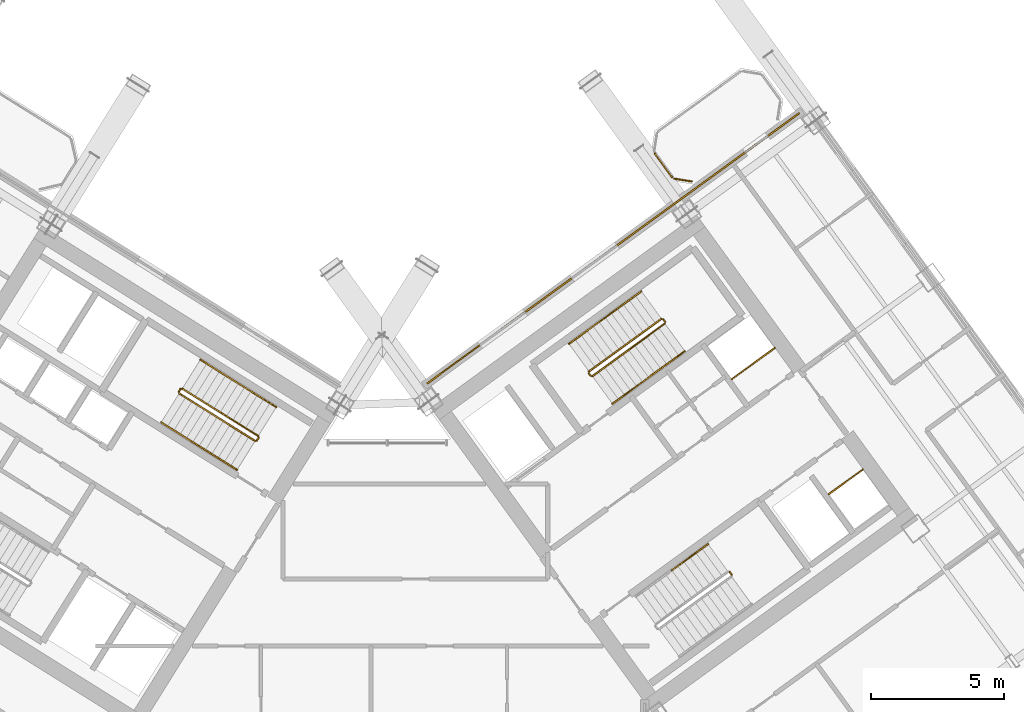
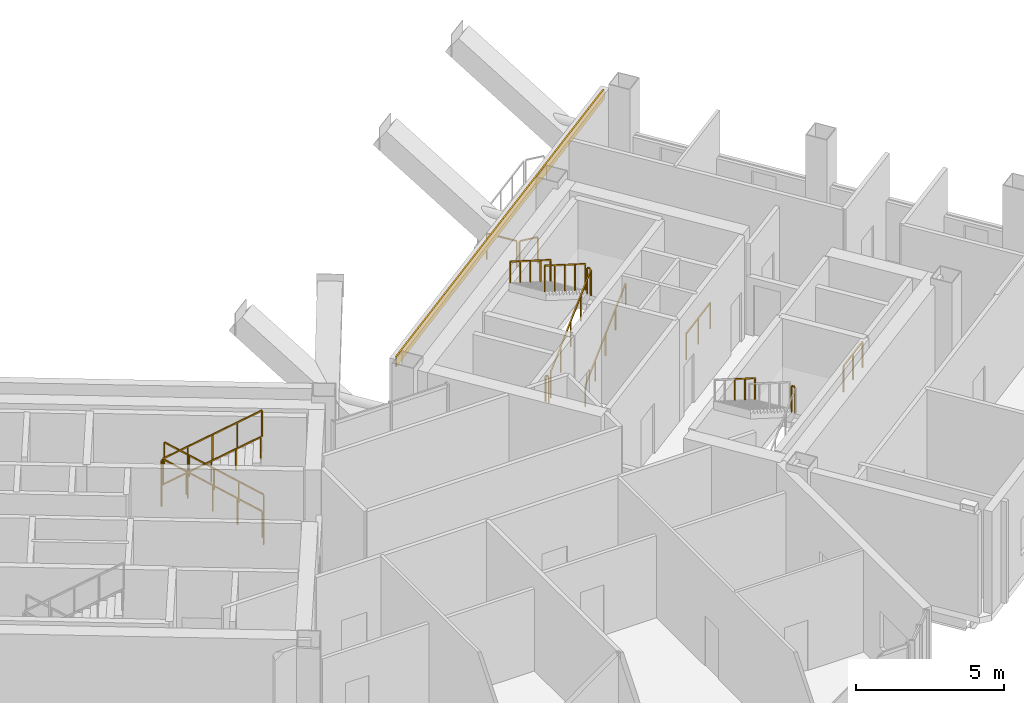
# One storey, part 33 of 34: 22 railings, 1 covering.
"""IFC4 building model written with IfcOpenShell, lengths in metres."""

import ifcopenshell
import ifcopenshell.guid

model = None  # the IFC model being written
_history = None  # IfcOwnerHistory: only IFC2X3 demands one
_inside = {}  # id of a spatial element -> (the spatial element, [elements in it])
_under = {}  # id of a project, library or spatial element -> (it, [spatial elements below it])
_declared = {}  # id of a project -> (the project, [libraries it declares])
_typed = {}  # id of a type object -> (the type object, [elements of that type])
_made_of = {}  # id of a material, layer set ... -> (it, [elements and type objects made of it])


def new_model(schema):
    """Start an empty IFC model of exactly this schema.

    Asked for "IFC4X3", IfcOpenShell would pick the latest addendum, in which some entities
    have other attributes; the version numbers below select the first issue.
    IFC2X3 requires an IfcOwnerHistory on every rooted entity: one is made here for all.
    """
    global model, _history
    if schema == "IFC4X3":
        model = ifcopenshell.file(schema_version=(4, 3, 0, 0))
    else:
        model = ifcopenshell.file(schema=schema)
    _inside.clear()
    _under.clear()
    _declared.clear()
    _typed.clear()
    _made_of.clear()
    _history = None
    if model.schema == "IFC2X3":
        org = make("IfcOrganization", Name="unknown")
        user = make(
            "IfcPersonAndOrganization",
            ThePerson=make("IfcPerson", FamilyName="unknown"),
            TheOrganization=org,
        )
        app = make(
            "IfcApplication",
            ApplicationDeveloper=org,
            Version="unknown",
            ApplicationFullName="unknown",
            ApplicationIdentifier="unknown",
        )
        _history = make(
            "IfcOwnerHistory",
            OwningUser=user,
            OwningApplication=app,
            ChangeAction="ADDED",
            CreationDate=0,
        )
    return model


def make(cls, **values):
    """One entity of the class cls with the attributes given. An attribute that is None is left unset."""
    return model.create_entity(
        cls, **{name: value for name, value in values.items() if value is not None}
    )


def rooted(cls, **values):
    """An entity with a GlobalId (a new one), such as an element, a storey or a relation."""
    return make(cls, GlobalId=ifcopenshell.guid.new(), OwnerHistory=_history, **values)


def si_unit(unit_type, name, prefix=None):
    """IfcSIUnit, for example si_unit("LENGTHUNIT", "METRE", prefix="MILLI")."""
    return make("IfcSIUnit", UnitType=unit_type, Prefix=prefix, Name=name)


def assignment(units):
    """IfcUnitAssignment: the units of a project."""
    return None if units is None else make("IfcUnitAssignment", Units=units)


def point(xyz):
    """IfcCartesianPoint."""
    return None if xyz is None else make("IfcCartesianPoint", Coordinates=xyz)


def direction(xyz):
    """IfcDirection."""
    return None if xyz is None else make("IfcDirection", DirectionRatios=xyz)


def frame(location, z_axis=None, x_axis=None):
    """IfcAxis2Placement3D, a coordinate frame: its origin and axes. An axis left out is left unset."""
    return make(
        "IfcAxis2Placement3D",
        Location=point(location),
        Axis=direction(z_axis),
        RefDirection=direction(x_axis),
    )


def frame_2d(location, x_axis=None):
    """IfcAxis2Placement2D, a coordinate frame in the plane: its origin and x axis."""
    return make(
        "IfcAxis2Placement2D", Location=point(location), RefDirection=direction(x_axis)
    )


def origin():
    """The frame at (0, 0, 0) with its axes left unset."""
    return frame((0.0, 0.0, 0.0))


def origin_2d():
    """The frame at (0, 0) in the plane with its x axis left unset."""
    return frame_2d((0.0, 0.0))


def place(relative_to, where):
    """IfcLocalPlacement: puts the frame where relative to a parent placement (None: the world)."""
    return make(
        "IfcLocalPlacement", PlacementRelTo=relative_to, RelativePlacement=where
    )


def context(
    kind, dimensions, precision=None, world=None, true_north=None, identifier=None
):
    """IfcGeometricRepresentationContext, for example the 3D "Model" context."""
    return make(
        "IfcGeometricRepresentationContext",
        ContextIdentifier=identifier,
        ContextType=kind,
        CoordinateSpaceDimension=dimensions,
        Precision=precision,
        WorldCoordinateSystem=world,
        TrueNorth=true_north,
    )


def subcontext(parent, identifier, kind, view, scale=None):
    """IfcGeometricRepresentationSubContext, for example "Body" below "Model"."""
    return make(
        "IfcGeometricRepresentationSubContext",
        ContextIdentifier=identifier,
        ContextType=kind,
        ParentContext=parent,
        TargetScale=scale,
        TargetView=view,
    )


def project(units=None, contexts=None):
    """IfcProject with its units and contexts."""
    return rooted(
        "IfcProject",
        Name="project",
        RepresentationContexts=contexts,
        UnitsInContext=assignment(units),
    )


def spatial(cls, under=None, at=None, **own):
    """A site, building, storey or space (cls), placed at a placement, below another one or the project."""
    s = rooted(cls, ObjectPlacement=at, **own)
    if under is not None:
        _under.setdefault(under.id(), (under, []))[1].append(s)
    return s


def profile(cls, at=None, kind="AREA", **sizes):
    """A parametric profile (cls). Its sizes go by their IFC names, for example OverallWidth=200.0."""
    return make(cls, ProfileType=kind, Position=at, **sizes)


def rectangle(**sizes):
    """IfcRectangleProfileDef."""
    return profile("IfcRectangleProfileDef", **sizes)


def extrude(swept, where, along, depth):
    """IfcExtrudedAreaSolid: the profile swept, set in the frame where, extruded along a direction by depth."""
    return make(
        "IfcExtrudedAreaSolid",
        SweptArea=swept,
        Position=where,
        ExtrudedDirection=direction(along),
        Depth=depth,
    )


def shape(context_of_items, identifier, shape_type, items):
    """IfcShapeRepresentation: the items that make up one representation, for example the "Body"."""
    return make(
        "IfcShapeRepresentation",
        ContextOfItems=context_of_items,
        RepresentationIdentifier=identifier,
        RepresentationType=shape_type,
        Items=items,
    )


def source(mapping_origin, context_of_items, identifier, shape_type, items):
    """IfcRepresentationMap: a shape defined once, which mapped items show again and again."""
    return make(
        "IfcRepresentationMap",
        MappingOrigin=mapping_origin,
        MappedRepresentation=shape(context_of_items, identifier, shape_type, items),
    )


def transform(
    local_origin,
    x_axis=None,
    y_axis=None,
    z_axis=None,
    scale=None,
    scale2=None,
    scale3=None,
    uniform=True,
):
    """IfcCartesianTransformationOperator3D, or its non-uniform kind. x_axis, y_axis, z_axis: its Axis1, 2, 3."""
    if uniform:
        return make(
            "IfcCartesianTransformationOperator3D",
            Axis1=direction(x_axis),
            Axis2=direction(y_axis),
            LocalOrigin=point(local_origin),
            Scale=scale,
            Axis3=direction(z_axis),
        )
    return make(
        "IfcCartesianTransformationOperator3DnonUniform",
        Axis1=direction(x_axis),
        Axis2=direction(y_axis),
        LocalOrigin=point(local_origin),
        Scale=scale,
        Axis3=direction(z_axis),
        Scale2=scale2,
        Scale3=scale3,
    )


def mapped(mapping_source, mapping_target):
    """IfcMappedItem: shows the shape of a source again, moved by a transform."""
    return make(
        "IfcMappedItem", MappingSource=mapping_source, MappingTarget=mapping_target
    )


def material(Name=None, Category=None):
    """IfcMaterial."""
    return make("IfcMaterial", Name=Name, Category=Category)


def layer(
    of_material, thickness, ventilated=None, Name=None, Category=None, Priority=None
):
    """IfcMaterialLayer: one layer of a wall or slab, of a material (None: an air gap)."""
    return make(
        "IfcMaterialLayer",
        Material=of_material,
        LayerThickness=thickness,
        IsVentilated=ventilated,
        Name=Name,
        Category=Category,
        Priority=Priority,
    )


def layer_set(layers, Name=None):
    """IfcMaterialLayerSet."""
    return make("IfcMaterialLayerSet", MaterialLayers=layers, LayerSetName=Name)


def made_of(thing, what):
    """Note that an element or type object is made of a material, layer set ...; save() writes the relation."""
    if what is not None:
        _made_of.setdefault(what.id(), (what, []))[1].append(thing)
    return thing


def type_object(cls, material=None, **own):
    """A type object (cls), such as IfcWallType, which elements share."""
    return made_of(rooted(cls, **own), material)


def element(
    cls,
    number,
    at=None,
    inside=None,
    cuts=None,
    type_object=None,
    material=None,
    context=None,
    identifier="Body",
    shape_type=None,
    held_by="IfcProductDefinitionShape",
    body=None,
    shapes=None,
    **own,
):
    """One element of the class cls, such as IfcWall. Its Tag is "e" and its number.

    at: its placement. inside: the storey or other place that contains it. cuts: it is an
    opening in that element (IfcRelVoidsElement). A single representation is given by context,
    identifier, shape_type and body (its items); several are given by shapes. held_by: the class
    of the entity that holds the representations. save() writes the other relations.
    """
    e = rooted(cls, Tag="e%d" % number, ObjectPlacement=at, **own)
    if body is not None:
        shapes = [shape(context, identifier, shape_type, body)]
    if shapes is not None:
        e.Representation = make(held_by, Representations=shapes)
    if inside is not None:
        _inside.setdefault(inside.id(), (inside, []))[1].append(e)
    if cuts is not None:
        rooted(
            "IfcRelVoidsElement", RelatingBuildingElement=cuts, RelatedOpeningElement=e
        )
    if type_object is not None:
        _typed.setdefault(type_object.id(), (type_object, []))[1].append(e)
    return made_of(e, material)


def aggregate(whole, parts):
    """IfcRelAggregates: a whole, such as a stair, and the parts it consists of."""
    return rooted("IfcRelAggregates", RelatingObject=whole, RelatedObjects=parts)


def save(model, path):
    """Write the relations noted so far, then the file.

    IfcRelAggregates (storeys below a building ...), IfcRelContainedInSpatialStructure (elements
    in a storey), IfcRelDefinesByType, IfcRelAssociatesMaterial and IfcRelDeclares: one each for
    every whole, place, type object, material and project.
    """
    for whole, parts in _under.values():
        aggregate(whole, parts)
    for where, things in _inside.values():
        rooted(
            "IfcRelContainedInSpatialStructure",
            RelatedElements=things,
            RelatingStructure=where,
        )
    for kind, things in _typed.values():
        rooted("IfcRelDefinesByType", RelatedObjects=things, RelatingType=kind)
    for what, things in _made_of.values():
        rooted("IfcRelAssociatesMaterial", RelatedObjects=things, RelatingMaterial=what)
    for by, libraries in _declared.values():
        rooted("IfcRelDeclares", RelatingContext=by, RelatedDefinitions=libraries)
    model.write(path)


model = new_model("IFC4")

# Units and contexts
model_context = context("Model", 3, precision=1e-05, world=origin(), true_north=direction((0.0, 1.0)))
body_context = subcontext(model_context, "Body", "Model", "MODEL_VIEW")
ifc_project = project(units=[si_unit("LENGTHUNIT", "METRE"), si_unit("AREAUNIT", "SQUARE_METRE"), si_unit("VOLUMEUNIT", "CUBIC_METRE"), si_unit("PLANEANGLEUNIT", "RADIAN"), si_unit("MASSUNIT", "GRAM", prefix="KILO")], contexts=[model_context])

# Site, building, storey
site_placement = place(None, origin())
site = spatial("IfcSite", under=ifc_project, at=site_placement, CompositionType="ELEMENT")
building_placement = place(site_placement, origin())
building = spatial("IfcBuilding", under=site, at=building_placement, Name="Tlacorven Tower", CompositionType="ELEMENT")
storey_placement = place(building_placement, frame((0.0, 0.0, 174.89990234375)))
storey = spatial("IfcBuildingStorey", under=building, at=storey_placement, Name="L44", CompositionType="ELEMENT", Elevation=174.89990234375)

# Railings
ifc_material_1 = material(Name="Aluminium and painted steel balustrade", Category="steel")
railing_type_1 = type_object("IfcRailingType", Name="RL-GRD-1100", PredefinedType="GUARDRAIL", material=ifc_material_1)
shared_shape_1 = source(origin(), body_context, "Body", "SweptSolid", [
    extrude(rectangle(XDim=0.048095703125, YDim=0.048095703125, at=origin_2d()), frame((0.0, 0.0, 1.076171875), z_axis=(0.808947177504, 0.587881334972, 0.0), x_axis=(-0.587881334972, 0.808947177504, 0.0)), (0.0, 0.0, 1.0), 2.0),
    extrude(rectangle(XDim=0.0419921875, YDim=0.0419921875, at=origin_2d()), origin(), (0.0, 0.0, 1.0), 1.052001953125),
    extrude(rectangle(XDim=0.0419921875, YDim=0.0419921875, at=origin_2d()), frame((0.80908203125, 0.587890625, 0.0)), (0.0, 0.0, 1.0), 1.052001953125),
    extrude(rectangle(XDim=0.0419921875, YDim=0.0419921875, at=origin_2d()), frame((1.617919921875, 1.17578125, 0.0)), (0.0, 0.0, 1.0), 1.052001953125),
])
railing_1_placement = place(storey_placement, frame((55.506103515625, 25.438232421875, 0.0)))
element("IfcRailing", 1, at=railing_1_placement, inside=storey, type_object=railing_type_1, Name="L44 Electrical Riser E Shaft Guard 1", PredefinedType="GUARDRAIL", context=body_context, shape_type="MappedRepresentation", body=[
    mapped(shared_shape_1, transform((0.0, 0.0, 0.0), scale=1.0)),
])
shared_shape_2 = source(origin(), body_context, "Body", "SweptSolid", [
    extrude(rectangle(XDim=0.048095703125, YDim=0.048095703125, at=origin_2d()), frame((0.0, 0.0, 1.076171875), z_axis=(0.809029975545, 0.58776738483, 0.0), x_axis=(-0.58776738483, 0.809029975545, 0.0)), (0.0, 0.0, 1.0), 1.580078125),
    extrude(rectangle(XDim=0.0419921875, YDim=0.0419921875, at=origin_2d()), origin(), (0.0, 0.0, 1.0), 1.052001953125),
    extrude(rectangle(XDim=0.0419921875, YDim=0.0419921875, at=origin_2d()), frame((0.63916015625, 0.46435546875, 0.0)), (0.0, 0.0, 1.0), 1.052001953125),
    extrude(rectangle(XDim=0.0419921875, YDim=0.0419921875, at=origin_2d()), frame((1.2783203125, 0.9287109375, 0.0)), (0.0, 0.0, 1.0), 1.052001953125),
])
railing_2_placement = place(storey_placement, frame((59.160888671875, 21.122314453125, 0.0)))
element("IfcRailing", 2, at=railing_2_placement, inside=storey, type_object=railing_type_1, Name="L44 Smoke Riser E Shaft Guard 1", PredefinedType="GUARDRAIL", context=body_context, shape_type="MappedRepresentation", body=[
    mapped(shared_shape_2, transform((0.0, 0.0, 0.0), scale=1.0)),
])
railing_type_2 = type_object("IfcRailingType", Name="RL-BAL-1100", PredefinedType="BALUSTRADE", material=ifc_material_1)
shared_shape_3 = source(origin(), body_context, "Body", "SweptSolid", [
    extrude(rectangle(XDim=0.048095703125, YDim=0.048095703125, at=origin_2d()), frame((0.0, 0.0, 1.076171875), z_axis=(-0.987718317463, 0.156245081039, 0.0), x_axis=(-0.156245081039, -0.987718317463, 0.0)), (0.0, 0.0, 1.0), 0.66552734375),
    extrude(rectangle(XDim=0.0419921875, YDim=0.0419921875, at=origin_2d()), origin(), (0.0, 0.0, 1.0), 1.052001953125),
    extrude(rectangle(XDim=0.0419921875, YDim=0.0419921875, at=origin_2d()), frame((-0.657470703125, 0.10400390625, 0.0)), (0.0, 0.0, 1.0), 1.052001953125),
])
railing_3_placement = place(storey_placement, frame((54.00341796875, 32.8759765625, 0.0)))
element("IfcRailing", 3, at=railing_3_placement, inside=storey, type_object=railing_type_2, Name="BAL-L44-E-IN Guard Railing 1", PredefinedType="BALUSTRADE", context=body_context, shape_type="MappedRepresentation", body=[
    mapped(shared_shape_3, transform((0.0, 0.0, 0.0), scale=1.0)),
])
shared_shape_4 = source(origin(), body_context, "Body", "SweptSolid", [
    extrude(rectangle(XDim=0.048095703125, YDim=0.048095703125, at=origin_2d()), frame((0.0, 0.0, 1.076171875), z_axis=(-0.587740817519, 0.809049276263, 0.0), x_axis=(-0.809049276263, -0.587740817519, 0.0)), (0.0, 0.0, 1.0), 1.112060546875),
    extrude(rectangle(XDim=0.0419921875, YDim=0.0419921875, at=origin_2d()), origin(), (0.0, 0.0, 1.0), 1.052001953125),
    extrude(rectangle(XDim=0.0419921875, YDim=0.0419921875, at=origin_2d()), frame((-0.653564453125, 0.899658203125, 0.0)), (0.0, 0.0, 1.0), 1.052001953125),
])
railing_4_placement = place(storey_placement, frame((53.26708984375, 33.0283203125, 0.0)))
element("IfcRailing", 4, at=railing_4_placement, inside=storey, type_object=railing_type_2, Name="BAL-L44-E-IN Guard Railing 2", PredefinedType="BALUSTRADE", context=body_context, shape_type="MappedRepresentation", body=[
    mapped(shared_shape_4, transform((0.0, 0.0, 0.0), scale=1.0)),
])

# Covering
ifc_material_2 = material(Name="Precast concrete C45/55", Category="concrete")
ifc_layer = layer(ifc_material_2, 0.06005859375)
ifc_layer_set = layer_set([ifc_layer], Name="Precast concrete C45/55")
covering_type = type_object("IfcCoveringType", Name="CV-CLD-TERC", PredefinedType="CLADDING", material=ifc_layer_set)
shared_shape_5 = source(origin(), body_context, "Body", "SweptSolid", [
    extrude(rectangle(XDim=17.287353515625, YDim=0.06005859375, at=origin_2d()), origin(), (0.0, 0.0, 1.0), 0.419921875),
])
covering_placement = place(storey_placement, frame((51.05224609375, 30.360595703125, 3.800048828125), z_axis=(0.0, 0.0, 1.0), x_axis=(0.809017097486, 0.587785110372, 0.0)))
element("IfcCovering", 5, at=covering_placement, inside=storey, type_object=covering_type, Name="L44 Masonry-Frame Spandrel Cladding 4", PredefinedType="CLADDING", context=body_context, shape_type="MappedRepresentation", body=[
    mapped(shared_shape_5, transform((0.0, 0.0, 0.0), scale=1.0)),
])

# Railings
shared_shape_6 = source(origin(), body_context, "Body", "SweptSolid", [
    extrude(rectangle(XDim=0.048095703125, YDim=0.048095703125, at=origin_2d()), frame((0.0, 0.0, 1.076171875), z_axis=(-0.530546985787, -0.847655529016, 0.0), x_axis=(0.847655529016, -0.530546985787, 0.0)), (0.0, 0.0, 1.0), 0.1201171875),
    extrude(rectangle(XDim=0.0419921875, YDim=0.0419921875, at=origin_2d()), origin(), (0.0, 0.0, 1.0), 1.052001953125),
    extrude(rectangle(XDim=0.0419921875, YDim=0.0419921875, at=origin_2d()), frame((-0.063720703125, -0.101806640625, 0.0)), (0.0, 0.0, 1.0), 1.052001953125),
])
for number, where, name in (
    (6, (34.7939453125, 25.07421875, 2.25), "L44 ST-W2 stair guard 2"),
    (7, (37.728271484375, 23.24072265625, 0.0), "L44 ST-W2 stair guard 4"),
):
    element("IfcRailing", number, at=place(storey_placement, frame(where)), inside=storey, type_object=railing_type_1, Name=name, PredefinedType="GUARDRAIL", context=body_context, shape_type="MappedRepresentation", body=[
        mapped(shared_shape_6, transform((0.0, 0.0, 0.0), scale=1.0)),
    ])
shared_shape_7 = source(origin(), body_context, "Body", "SweptSolid", [
    extrude(rectangle(XDim=0.048095703125, YDim=0.048095703125, at=origin_2d()), frame((0.0, 0.0, 1.076171875), z_axis=(-0.721354668439, 0.45076168254, 0.525795918465), x_axis=(-0.529927092104, -0.84804320471, 0.0)), (0.0, 0.0, 1.0), 3.949951171875),
    extrude(rectangle(XDim=0.0419921875, YDim=0.0419921875, at=origin_2d()), origin(), (0.0, 0.0, 1.0), 1.052001953125),
    extrude(rectangle(XDim=0.0419921875, YDim=0.0419921875, at=origin_2d()), frame((-0.71240234375, 0.445068359375, 0.519287109375)), (0.0, 0.0, 1.0), 1.052001953125),
    extrude(rectangle(XDim=0.0419921875, YDim=0.0419921875, at=origin_2d()), frame((-1.4248046875, 0.89013671875, 1.03857421875)), (0.0, 0.0, 1.0), 1.052001953125),
    extrude(rectangle(XDim=0.0419921875, YDim=0.0419921875, at=origin_2d()), frame((-2.136962890625, 1.33544921875, 1.5576171875)), (0.0, 0.0, 1.0), 1.052001953125),
    extrude(rectangle(XDim=0.0419921875, YDim=0.0419921875, at=origin_2d()), frame((-2.849365234375, 1.780517578125, 2.076904296875)), (0.0, 0.0, 1.0), 1.052001953125),
])
railing_5_placement = place(storey_placement, frame((37.712158203125, 23.3095703125, 0.173095703125)))
element("IfcRailing", 8, at=railing_5_placement, inside=storey, type_object=railing_type_1, Name="L44 ST-W2 stair guard 1", PredefinedType="GUARDRAIL", context=body_context, shape_type="MappedRepresentation", body=[
    mapped(shared_shape_7, transform((0.0, 0.0, 0.0), scale=1.0)),
])
railing_type_3 = type_object("IfcRailingType", Name="RL-HND-0900", PredefinedType="HANDRAIL", material=ifc_material_1)
shared_shape_8 = source(origin(), body_context, "Body", "SweptSolid", [
    extrude(rectangle(XDim=0.048095703125, YDim=0.048095703125, at=origin_2d()), frame((0.0, 0.0, 0.8759765625), z_axis=(-0.721340775611, 0.4507761838, 0.52580254617), x_axis=(-0.529946692594, -0.848030956397, 0.0)), (0.0, 0.0, 1.0), 1.97509765625),
    extrude(rectangle(XDim=0.0419921875, YDim=0.0419921875, at=origin_2d()), origin(), (0.0, 0.0, 1.0), 0.851806640625),
    extrude(rectangle(XDim=0.0419921875, YDim=0.0419921875, at=origin_2d()), frame((-0.71240234375, 0.4453125, 0.519287109375)), (0.0, 0.0, 1.0), 0.851806640625),
    extrude(rectangle(XDim=0.0419921875, YDim=0.0419921875, at=origin_2d()), frame((-1.4248046875, 0.890380859375, 1.03857421875)), (0.0, 0.0, 1.0), 0.851806640625),
])
railing_6_placement = place(storey_placement, frame((38.390625, 24.39501953125, 0.173095703125)))
element("IfcRailing", 9, at=railing_6_placement, inside=storey, type_object=railing_type_3, Name="L44 ST-W2 stair handrail 1", PredefinedType="HANDRAIL", context=body_context, shape_type="MappedRepresentation", body=[
    mapped(shared_shape_8, transform((0.0, 0.0, 0.0), scale=1.0)),
])
shared_shape_9 = source(origin(), body_context, "Body", "SweptSolid", [
    extrude(rectangle(XDim=0.048095703125, YDim=0.048095703125, at=origin_2d()), frame((0.0, 0.0, 0.8759765625), z_axis=(-0.721427851237, 0.45070698177, 0.525742400842), x_axis=(-0.52984217967, -0.848096259066, 0.0)), (0.0, 0.0, 1.0), 1.97509765625),
    extrude(rectangle(XDim=0.0419921875, YDim=0.0419921875, at=origin_2d()), origin(), (0.0, 0.0, 1.0), 0.851806640625),
    extrude(rectangle(XDim=0.0419921875, YDim=0.0419921875, at=origin_2d()), frame((-0.71240234375, 0.445068359375, 0.51904296875)), (0.0, 0.0, 1.0), 0.851806640625),
    extrude(rectangle(XDim=0.0419921875, YDim=0.0419921875, at=origin_2d()), frame((-1.4248046875, 0.89013671875, 1.038330078125)), (0.0, 0.0, 1.0), 0.851806640625),
])
railing_7_placement = place(storey_placement, frame((36.9658203125, 25.285400390625, 1.211669921875)))
element("IfcRailing", 10, at=railing_7_placement, inside=storey, type_object=railing_type_3, Name="L44 ST-W2 stair handrail 2", PredefinedType="HANDRAIL", context=body_context, shape_type="MappedRepresentation", body=[
    mapped(shared_shape_9, transform((0.0, 0.0, 0.0), scale=1.0)),
])
shared_shape_10 = source(origin(), body_context, "Body", "SweptSolid", [
    extrude(rectangle(XDim=0.048095703125, YDim=0.048095703125, at=origin_2d()), frame((0.0, 0.0, 0.8759765625), z_axis=(0.721387654753, -0.450805479247, 0.525713107551), x_axis=(0.529946692594, 0.848030956397, 0.0)), (0.0, 0.0, 1.0), 1.97509765625),
    extrude(rectangle(XDim=0.0419921875, YDim=0.0419921875, at=origin_2d()), origin(), (0.0, 0.0, 1.0), 0.851806640625),
    extrude(rectangle(XDim=0.0419921875, YDim=0.0419921875, at=origin_2d()), frame((0.71240234375, -0.4453125, 0.51904296875)), (0.0, 0.0, 1.0), 0.851806640625),
    extrude(rectangle(XDim=0.0419921875, YDim=0.0419921875, at=origin_2d()), frame((1.4248046875, -0.890380859375, 1.038330078125)), (0.0, 0.0, 1.0), 0.851806640625),
])
railing_8_placement = place(storey_placement, frame((35.49267578125, 22.927734375, 3.461669921875)))
element("IfcRailing", 11, at=railing_8_placement, inside=storey, type_object=railing_type_3, Name="L44 ST-W2 stair handrail 4", PredefinedType="HANDRAIL", context=body_context, shape_type="MappedRepresentation", body=[
    mapped(shared_shape_10, transform((0.0, 0.0, 0.0), scale=1.0)),
])
shared_shape_11 = source(origin(), body_context, "Body", "SweptSolid", [
    extrude(rectangle(XDim=0.048095703125, YDim=0.048095703125, at=origin_2d()), frame((0.0, 0.0, 1.076171875), z_axis=(0.721354668439, -0.45076168254, 0.525795918465), x_axis=(0.529927092104, 0.84804320471, 0.0)), (0.0, 0.0, 1.0), 3.949951171875),
    extrude(rectangle(XDim=0.0419921875, YDim=0.0419921875, at=origin_2d()), origin(), (0.0, 0.0, 1.0), 1.052001953125),
    extrude(rectangle(XDim=0.0419921875, YDim=0.0419921875, at=origin_2d()), frame((0.71240234375, -0.445068359375, 0.519287109375)), (0.0, 0.0, 1.0), 1.052001953125),
    extrude(rectangle(XDim=0.0419921875, YDim=0.0419921875, at=origin_2d()), frame((1.4248046875, -0.89013671875, 1.03857421875)), (0.0, 0.0, 1.0), 1.052001953125),
    extrude(rectangle(XDim=0.0419921875, YDim=0.0419921875, at=origin_2d()), frame((2.136962890625, -1.33544921875, 1.5576171875)), (0.0, 0.0, 1.0), 1.052001953125),
    extrude(rectangle(XDim=0.0419921875, YDim=0.0419921875, at=origin_2d()), frame((2.849365234375, -1.780517578125, 2.076904296875)), (0.0, 0.0, 1.0), 1.052001953125),
])
railing_9_placement = place(storey_placement, frame((34.746337890625, 24.903564453125, 2.423095703125)))
element("IfcRailing", 12, at=railing_9_placement, inside=storey, type_object=railing_type_1, Name="L44 ST-W2 stair guard 3", PredefinedType="GUARDRAIL", context=body_context, shape_type="MappedRepresentation", body=[
    mapped(shared_shape_11, transform((0.0, 0.0, 0.0), scale=1.0)),
])
shared_shape_12 = source(origin(), body_context, "Body", "SweptSolid", [
    extrude(rectangle(XDim=0.048095703125, YDim=0.048095703125, at=origin_2d()), frame((0.0, 0.0, 0.8759765625), z_axis=(0.721380964259, -0.45067768946, 0.525831840637), x_axis=(0.52984217967, 0.848096259066, 0.0)), (0.0, 0.0, 1.0), 1.97509765625),
    extrude(rectangle(XDim=0.0419921875, YDim=0.0419921875, at=origin_2d()), origin(), (0.0, 0.0, 1.0), 0.851806640625),
    extrude(rectangle(XDim=0.0419921875, YDim=0.0419921875, at=origin_2d()), frame((0.71240234375, -0.445068359375, 0.519287109375)), (0.0, 0.0, 1.0), 0.851806640625),
    extrude(rectangle(XDim=0.0419921875, YDim=0.0419921875, at=origin_2d()), frame((1.4248046875, -0.89013671875, 1.03857421875)), (0.0, 0.0, 1.0), 0.851806640625),
])
railing_10_placement = place(storey_placement, frame((34.06787109375, 23.81787109375, 2.423095703125)))
element("IfcRailing", 13, at=railing_10_placement, inside=storey, type_object=railing_type_3, Name="L44 ST-W2 stair handrail 3", PredefinedType="HANDRAIL", context=body_context, shape_type="MappedRepresentation", body=[
    mapped(shared_shape_12, transform((0.0, 0.0, 0.0), scale=1.0)),
])
shared_shape_13 = source(origin(), body_context, "Body", "SweptSolid", [
    extrude(rectangle(XDim=0.048095703125, YDim=0.048095703125, at=origin_2d()), frame((0.0, 0.0, 1.076171875), z_axis=(-0.587567097037, 0.809175448515, 0.0), x_axis=(-0.809175448515, -0.587567097037, 0.0)), (0.0, 0.0, 1.0), 0.1201171875),
    extrude(rectangle(XDim=0.0419921875, YDim=0.0419921875, at=origin_2d()), origin(), (0.0, 0.0, 1.0), 1.052001953125),
    extrude(rectangle(XDim=0.0419921875, YDim=0.0419921875, at=origin_2d()), frame((-0.070556640625, 0.09716796875, 0.0)), (0.0, 0.0, 1.0), 1.052001953125),
])
for number, where, name in (
    (14, (53.006591796875, 27.6025390625, 2.25), "L44 ST-E1 stair guard 2"),
    (15, (55.510498046875, 18.099365234375, 2.25), "L44 ST-E2 stair guard 2"),
):
    element("IfcRailing", number, at=place(storey_placement, frame(where)), inside=storey, type_object=railing_type_1, Name=name, PredefinedType="GUARDRAIL", context=body_context, shape_type="MappedRepresentation", body=[
        mapped(shared_shape_13, transform((0.0, 0.0, 0.0), scale=1.0)),
    ])
shared_shape_14 = source(origin(), body_context, "Body", "SweptSolid", [
    extrude(rectangle(XDim=0.048095703125, YDim=0.048095703125, at=origin_2d()), frame((0.0, 0.0, 1.076171875), z_axis=(-0.587201422542, 0.809440849824, 0.0), x_axis=(-0.809440849824, -0.587201422542, 0.0)), (0.0, 0.0, 1.0), 0.11962890625),
    extrude(rectangle(XDim=0.0419921875, YDim=0.0419921875, at=origin_2d()), origin(), (0.0, 0.0, 1.0), 1.052001953125),
    extrude(rectangle(XDim=0.0419921875, YDim=0.0419921875, at=origin_2d()), frame((-0.0703125, 0.096923828125, 0.0)), (0.0, 0.0, 1.0), 1.052001953125),
])
railing_11_placement = place(storey_placement, frame((50.207275390625, 25.56884765625, 0.0)))
element("IfcRailing", 16, at=railing_11_placement, inside=storey, type_object=railing_type_1, Name="L44 ST-E1 stair guard 4", PredefinedType="GUARDRAIL", context=body_context, shape_type="MappedRepresentation", body=[
    mapped(shared_shape_14, transform((0.0, 0.0, 0.0), scale=1.0)),
])
shared_shape_15 = source(origin(), body_context, "Body", "SweptSolid", [
    extrude(rectangle(XDim=0.048095703125, YDim=0.048095703125, at=origin_2d()), frame((0.0, 0.0, 1.076171875), z_axis=(0.688166980386, 0.499962520599, 0.525798141023), x_axis=(-0.587769819143, 0.809028206989, 0.0)), (0.0, 0.0, 1.0), 3.949951171875),
    extrude(rectangle(XDim=0.0419921875, YDim=0.0419921875, at=origin_2d()), origin(), (0.0, 0.0, 1.0), 1.052001953125),
    extrude(rectangle(XDim=0.0419921875, YDim=0.0419921875, at=origin_2d()), frame((0.6796875, 0.49365234375, 0.519287109375)), (0.0, 0.0, 1.0), 1.052001953125),
    extrude(rectangle(XDim=0.0419921875, YDim=0.0419921875, at=origin_2d()), frame((1.359130859375, 0.9873046875, 1.03857421875)), (0.0, 0.0, 1.0), 1.052001953125),
    extrude(rectangle(XDim=0.0419921875, YDim=0.0419921875, at=origin_2d()), frame((2.03857421875, 1.481201171875, 1.5576171875)), (0.0, 0.0, 1.0), 1.052001953125),
    extrude(rectangle(XDim=0.0419921875, YDim=0.0419921875, at=origin_2d()), frame((2.71826171875, 1.974853515625, 2.076904296875)), (0.0, 0.0, 1.0), 1.052001953125),
])
railing_12_placement = place(storey_placement, frame((50.27734375, 25.557861328125, 0.173095703125)))
element("IfcRailing", 17, at=railing_12_placement, inside=storey, type_object=railing_type_1, Name="L44 ST-E1 stair guard 1", PredefinedType="GUARDRAIL", context=body_context, shape_type="MappedRepresentation", body=[
    mapped(shared_shape_15, transform((0.0, 0.0, 0.0), scale=1.0)),
])
shared_shape_16 = source(origin(), body_context, "Body", "SweptSolid", [
    extrude(rectangle(XDim=0.048095703125, YDim=0.048095703125, at=origin_2d()), frame((0.0, 0.0, 1.076171875), z_axis=(-0.688166980386, -0.499962520599, 0.525798141023), x_axis=(0.587769819143, -0.809028206989, 0.0)), (0.0, 0.0, 1.0), 3.949951171875),
    extrude(rectangle(XDim=0.0419921875, YDim=0.0419921875, at=origin_2d()), origin(), (0.0, 0.0, 1.0), 1.052001953125),
    extrude(rectangle(XDim=0.0419921875, YDim=0.0419921875, at=origin_2d()), frame((-0.6796875, -0.49365234375, 0.519287109375)), (0.0, 0.0, 1.0), 1.052001953125),
    extrude(rectangle(XDim=0.0419921875, YDim=0.0419921875, at=origin_2d()), frame((-1.359130859375, -0.9873046875, 1.03857421875)), (0.0, 0.0, 1.0), 1.052001953125),
    extrude(rectangle(XDim=0.0419921875, YDim=0.0419921875, at=origin_2d()), frame((-2.03857421875, -1.481201171875, 1.5576171875)), (0.0, 0.0, 1.0), 1.052001953125),
    extrude(rectangle(XDim=0.0419921875, YDim=0.0419921875, at=origin_2d()), frame((-2.71826171875, -1.974853515625, 2.076904296875)), (0.0, 0.0, 1.0), 1.052001953125),
])
railing_13_placement = place(storey_placement, frame((52.8662109375, 27.710693359375, 2.423095703125)))
element("IfcRailing", 18, at=railing_13_placement, inside=storey, type_object=railing_type_1, Name="L44 ST-E1 stair guard 3", PredefinedType="GUARDRAIL", context=body_context, shape_type="MappedRepresentation", body=[
    mapped(shared_shape_16, transform((0.0, 0.0, 0.0), scale=1.0)),
])
shared_shape_17 = source(origin(), body_context, "Body", "SweptSolid", [
    extrude(rectangle(XDim=0.048095703125, YDim=0.048095703125, at=origin_2d()), frame((0.0, 0.0, 0.8759765625), z_axis=(0.688123352181, 0.499992627909, 0.525826610414), x_axis=(-0.587817375869, 0.808993654256, 0.0)), (0.0, 0.0, 1.0), 1.97509765625),
    extrude(rectangle(XDim=0.0419921875, YDim=0.0419921875, at=origin_2d()), origin(), (0.0, 0.0, 1.0), 0.851806640625),
    extrude(rectangle(XDim=0.0419921875, YDim=0.0419921875, at=origin_2d()), frame((0.6796875, 0.49365234375, 0.519287109375)), (0.0, 0.0, 1.0), 0.851806640625),
    extrude(rectangle(XDim=0.0419921875, YDim=0.0419921875, at=origin_2d()), frame((1.359130859375, 0.987548828125, 1.03857421875)), (0.0, 0.0, 1.0), 0.851806640625),
])
railing_14_placement = place(storey_placement, frame((51.029541015625, 24.522216796875, 0.173095703125)))
element("IfcRailing", 19, at=railing_14_placement, inside=storey, type_object=railing_type_3, Name="L44 ST-E1 stair handrail 1", PredefinedType="HANDRAIL", context=body_context, shape_type="MappedRepresentation", body=[
    mapped(shared_shape_17, transform((0.0, 0.0, 0.0), scale=1.0)),
])
shared_shape_18 = source(origin(), body_context, "Body", "SweptSolid", [
    extrude(rectangle(XDim=0.048095703125, YDim=0.048095703125, at=origin_2d()), frame((0.0, 0.0, 0.8759765625), z_axis=(0.688210611632, 0.49993240766, 0.525769666117), x_axis=(-0.587722256323, 0.809062759879, 0.0)), (0.0, 0.0, 1.0), 1.974853515625),
    extrude(rectangle(XDim=0.0419921875, YDim=0.0419921875, at=origin_2d()), origin(), (0.0, 0.0, 1.0), 0.851806640625),
    extrude(rectangle(XDim=0.0419921875, YDim=0.0419921875, at=origin_2d()), frame((0.6796875, 0.49365234375, 0.51904296875)), (0.0, 0.0, 1.0), 0.851806640625),
    extrude(rectangle(XDim=0.0419921875, YDim=0.0419921875, at=origin_2d()), frame((1.359130859375, 0.9873046875, 1.038330078125)), (0.0, 0.0, 1.0), 0.851806640625),
])
railing_15_placement = place(storey_placement, frame((52.388671875, 25.509765625, 1.211669921875)))
element("IfcRailing", 20, at=railing_15_placement, inside=storey, type_object=railing_type_3, Name="L44 ST-E1 stair handrail 2", PredefinedType="HANDRAIL", context=body_context, shape_type="MappedRepresentation", body=[
    mapped(shared_shape_18, transform((0.0, 0.0, 0.0), scale=1.0)),
])
shared_shape_19 = source(origin(), body_context, "Body", "SweptSolid", [
    extrude(rectangle(XDim=0.048095703125, YDim=0.048095703125, at=origin_2d()), frame((0.0, 0.0, 0.8759765625), z_axis=(-0.688123352181, -0.499992627909, 0.525826610414), x_axis=(0.587817375869, -0.808993654256, 0.0)), (0.0, 0.0, 1.0), 1.97509765625),
    extrude(rectangle(XDim=0.0419921875, YDim=0.0419921875, at=origin_2d()), origin(), (0.0, 0.0, 1.0), 0.851806640625),
    extrude(rectangle(XDim=0.0419921875, YDim=0.0419921875, at=origin_2d()), frame((-0.6796875, -0.49365234375, 0.519287109375)), (0.0, 0.0, 1.0), 0.851806640625),
    extrude(rectangle(XDim=0.0419921875, YDim=0.0419921875, at=origin_2d()), frame((-1.359130859375, -0.987548828125, 1.03857421875)), (0.0, 0.0, 1.0), 0.851806640625),
])
for number, where, name in (
    (21, (52.11376953125, 28.746337890625, 2.423095703125), "L44 ST-E1 stair handrail 3"),
    (22, (54.617919921875, 19.2431640625, 2.423095703125), "L44 ST-E2 stair handrail 3"),
):
    element("IfcRailing", number, at=place(storey_placement, frame(where)), inside=storey, type_object=railing_type_3, Name=name, PredefinedType="HANDRAIL", context=body_context, shape_type="MappedRepresentation", body=[
        mapped(shared_shape_19, transform((0.0, 0.0, 0.0), scale=1.0)),
    ])
shared_shape_20 = source(origin(), body_context, "Body", "SweptSolid", [
    extrude(rectangle(XDim=0.048095703125, YDim=0.048095703125, at=origin_2d()), frame((0.0, 0.0, 0.8759765625), z_axis=(-0.688168076653, -0.500025124854, 0.525737170829), x_axis=(0.587817375869, -0.808993654256, 0.0)), (0.0, 0.0, 1.0), 1.97509765625),
    extrude(rectangle(XDim=0.0419921875, YDim=0.0419921875, at=origin_2d()), origin(), (0.0, 0.0, 1.0), 0.851806640625),
    extrude(rectangle(XDim=0.0419921875, YDim=0.0419921875, at=origin_2d()), frame((-0.6796875, -0.49365234375, 0.51904296875)), (0.0, 0.0, 1.0), 0.851806640625),
    extrude(rectangle(XDim=0.0419921875, YDim=0.0419921875, at=origin_2d()), frame((-1.359130859375, -0.987548828125, 1.038330078125)), (0.0, 0.0, 1.0), 0.851806640625),
])
railing_16_placement = place(storey_placement, frame((50.754638671875, 27.7587890625, 3.461669921875)))
element("IfcRailing", 23, at=railing_16_placement, inside=storey, type_object=railing_type_3, Name="L44 ST-E1 stair handrail 4", PredefinedType="HANDRAIL", context=body_context, shape_type="MappedRepresentation", body=[
    mapped(shared_shape_20, transform((0.0, 0.0, 0.0), scale=1.0)),
])

save(model, "model.ifc")
